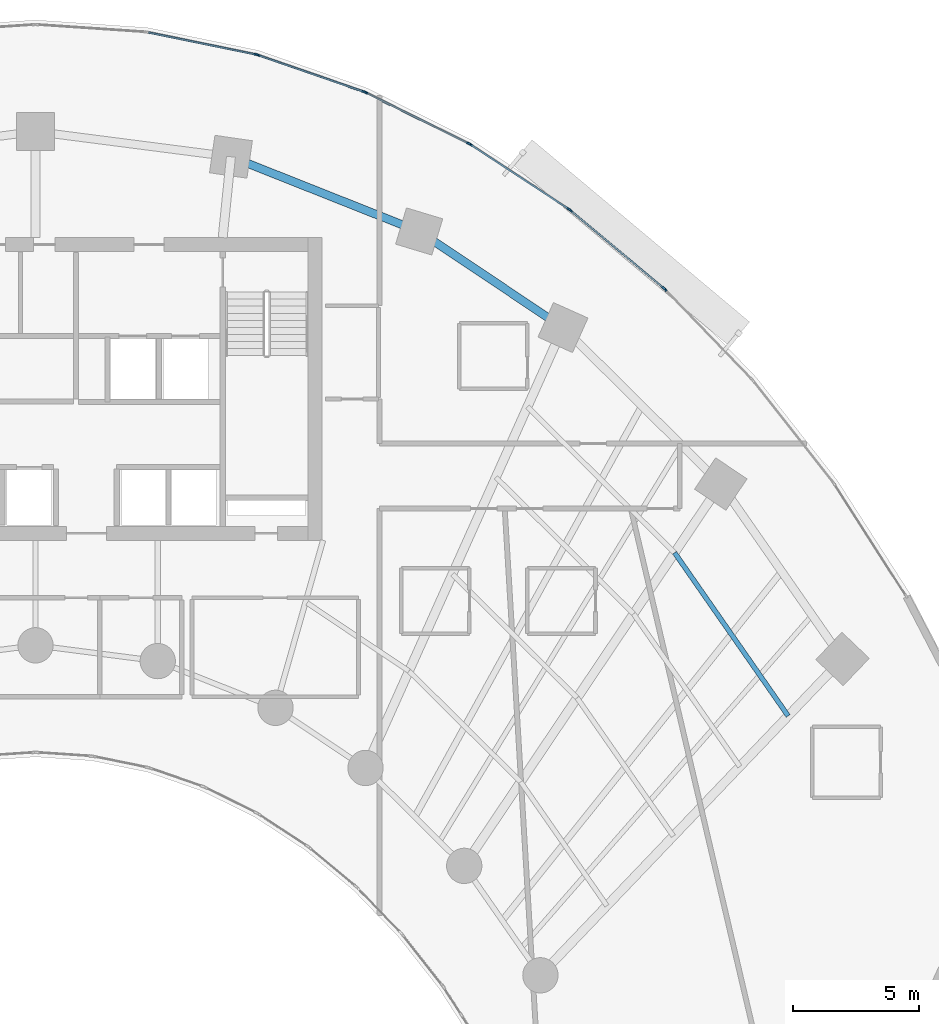
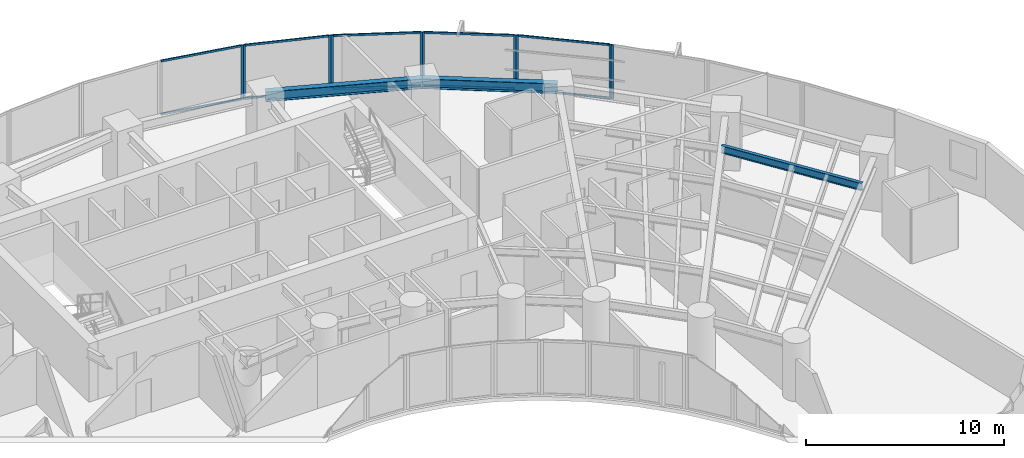
# One storey, part 7 of 17: 20 members, 3 beams, 6 elements without a shape of their own.
"""IFC4 building model written with IfcOpenShell, lengths in metres."""

from ifc_helpers import new_model, si_unit, direction, frame, origin, origin_2d, place, context, subcontext, project, spatial, rectangle, i_section, extrude, source, transform, mapped, material, layer, layer_set, material_profile, profile_set, type_object, element, aggregate, save


model = new_model("IFC4")

# Units and contexts
model_context = context("Model", 3, precision=1e-05, world=origin(), true_north=direction((0.0, 1.0)))
body_context = subcontext(model_context, "Body", "Model", "MODEL_VIEW")
ifc_project = project(units=[si_unit("LENGTHUNIT", "METRE"), si_unit("AREAUNIT", "SQUARE_METRE"), si_unit("VOLUMEUNIT", "CUBIC_METRE"), si_unit("PLANEANGLEUNIT", "RADIAN"), si_unit("MASSUNIT", "GRAM", prefix="KILO")], contexts=[model_context])

# Site, building, storey
site_placement = place(None, origin())
site = spatial("IfcSite", under=ifc_project, at=site_placement, CompositionType="ELEMENT")
building_placement = place(site_placement, origin())
building = spatial("IfcBuilding", under=site, at=building_placement, Name="Breltana Convention Tower", CompositionType="ELEMENT")
storey_placement = place(building_placement, frame((0.0, 0.0, 78.60009765625)))
storey = spatial("IfcBuildingStorey", under=building, at=storey_placement, Name="L18", CompositionType="ELEMENT", Elevation=78.60009765625)

# Beams
ifc_material_1 = material(Name="Steel ASTM A992 Grade 50", Category="steel")
ifc_material_profile_1 = material_profile(ifc_material_1, i_section(OverallWidth=0.323974609375, OverallDepth=0.611083984375, WebThickness=0.0126953125, FlangeThickness=0.01904296875, at=origin_2d()), Name="W24X104")
ifc_profile_set_1 = profile_set([ifc_material_profile_1], Name="Steel ASTM A992 Grade 50")
beam_type_1 = type_object("IfcBeamType", Name="BM-SP-W24X104", PredefinedType="SPANDREL", material=ifc_profile_set_1)
shared_shape_1 = source(origin(), body_context, "Body", "SweptSolid", [
    extrude(i_section(OverallWidth=0.323974609375, OverallDepth=0.611083984375, WebThickness=0.0126953125, FlangeThickness=0.01904296875, at=origin_2d()), origin(), (0.0, 0.0, 1.0), 8.028564453125),
])
beam_1_placement = place(storey_placement, frame((55.746826171875, 75.404296875, 3.054443359375), z_axis=(0.929459100394, -0.368925169507, 0.0), x_axis=(0.368925169507, 0.929459100394, 0.0)))
element("IfcBeam", 1, at=beam_1_placement, inside=storey, type_object=beam_type_1, Name="L18 Outer Spandrel Beam 07", PredefinedType="SPANDREL", context=body_context, shape_type="MappedRepresentation", body=[
    mapped(shared_shape_1, transform((0.0, 0.0, 0.0), scale=1.0)),
])
shared_shape_2 = source(origin(), body_context, "Body", "SweptSolid", [
    extrude(i_section(OverallWidth=0.323974609375, OverallDepth=0.611083984375, WebThickness=0.0126953125, FlangeThickness=0.01904296875, at=origin_2d()), origin(), (0.0, 0.0, 1.0), 6.856689453125),
])
beam_2_placement = place(storey_placement, frame((63.208984375, 72.4423828125, 3.054443359375), z_axis=(0.83150210718, -0.55552159792, 0.0), x_axis=(0.55552159792, 0.83150210718, 0.0)))
element("IfcBeam", 2, at=beam_2_placement, inside=storey, type_object=beam_type_1, Name="L18 Outer Spandrel Beam 08", PredefinedType="SPANDREL", context=body_context, shape_type="MappedRepresentation", body=[
    mapped(shared_shape_2, transform((0.0, 0.0, 0.0), scale=1.0)),
])
ifc_material_profile_2 = material_profile(ifc_material_1, i_section(OverallWidth=0.19091796875, OverallDepth=0.4599609375, WebThickness=0.010009765625, FlangeThickness=0.01611328125, at=origin_2d()), Name="W18X55")
ifc_profile_set_2 = profile_set([ifc_material_profile_2], Name="Steel ASTM A992 Grade 50")
beam_type_2 = type_object("IfcBeamType", Name="BM-JSG-07", PredefinedType="JOIST", material=ifc_profile_set_2)
shared_shape_3 = source(origin(), body_context, "Body", "SweptSolid", [
    extrude(i_section(OverallWidth=0.19091796875, OverallDepth=0.4599609375, WebThickness=0.010009765625, FlangeThickness=0.01611328125, at=origin_2d()), origin(), (0.0, 0.0, 1.0), 7.88037109375),
])
beam_3_placement = place(storey_placement, frame((73.3359375, 59.70556640625, 3.1298828125), z_axis=(0.571197916304, -0.820812366141, 0.0), x_axis=(0.820812366141, 0.571197916304, 0.0)))
element("IfcBeam", 3, at=beam_3_placement, inside=storey, type_object=beam_type_2, Name="L18 Composite Floor Joist 10.4", PredefinedType="JOIST", context=body_context, shape_type="MappedRepresentation", body=[
    mapped(shared_shape_3, transform((0.0, 0.0, 0.0), scale=1.0)),
])

# Curtain wall, members
ifc_material_2 = material(Name="Aluminium Anodised Bronze Frame", Category="aluminium")
ifc_layer = layer(ifc_material_2, 0.199951171875, Name="Aluminium Anodised Bronze Frame")
ifc_layer_set = layer_set([ifc_layer], Name="Aluminium Anodised Bronze Frame")
curtain_wall_type = type_object("IfcCurtainWallType", Name="CW-SYS-2", PredefinedType="NOTDEFINED", material=ifc_layer_set)
curtain_wall_1_placement = place(storey_placement, origin())
curtain_wall_1 = element("IfcCurtainWall", 4, at=curtain_wall_1_placement, inside=storey, type_object=curtain_wall_type, Name="L18 outer double-skin inner glazing 15", PredefinedType="NOTDEFINED")
ifc_material_3 = material(Name="Aluminium Anodised Bronze", Category="aluminium")
ifc_material_profile_3 = material_profile(ifc_material_3, rectangle(XDim=0.070068359375, YDim=0.1201171875, at=origin_2d()), Name="CWT-70X120")
ifc_profile_set_3 = profile_set([ifc_material_profile_3], Name="Aluminium Anodised Bronze")
member_type_1 = type_object("IfcMemberType", Name="CWT-120", PredefinedType="USERDEFINED", material=ifc_profile_set_3)
shared_shape_4 = source(origin(), body_context, "Body", "SweptSolid", [
    extrude(rectangle(XDim=0.070068359375, YDim=0.1201171875, at=origin_2d()), origin(), (0.0, 0.0, 1.0), 4.7509765625),
])
member_1_placement = place(storey_placement, frame((69.2294921875, 73.2607421875, 0.034912109375), z_axis=(0.767951631807, -0.64050783852, 0.0), x_axis=(0.64050783852, 0.767951631807, 0.0)))
member_1 = element("IfcMember", 5, at=member_1_placement, type_object=member_type_1, Name="CW-02 transom 1.1", ObjectType="TRANSOM", PredefinedType="USERDEFINED", context=body_context, shape_type="MappedRepresentation", body=[
    mapped(shared_shape_4, transform((0.0, 0.0, 0.0), scale=1.0)),
])
member_2_placement = place(storey_placement, frame((69.2294921875, 73.2607421875, 3.324951171875), z_axis=(0.767951631807, -0.64050783852, 0.0), x_axis=(0.64050783852, 0.767951631807, 0.0)))
member_2 = element("IfcMember", 6, at=member_2_placement, type_object=member_type_1, Name="CW-02 transom 1.2", ObjectType="TRANSOM", PredefinedType="USERDEFINED", context=body_context, shape_type="MappedRepresentation", body=[
    mapped(shared_shape_4, transform((0.0, 0.0, 0.0), scale=1.0)),
])

curtain_wall_2_placement = place(storey_placement, origin())
curtain_wall_2 = element("IfcCurtainWall", 7, at=curtain_wall_2_placement, inside=storey, type_object=curtain_wall_type, Name="L18 outer double-skin inner glazing 14", PredefinedType="NOTDEFINED")
shared_shape_5 = source(origin(), body_context, "Body", "SweptSolid", [
    extrude(rectangle(XDim=0.070068359375, YDim=0.1201171875, at=origin_2d()), origin(), (0.0, 0.0, 1.0), 4.610595703125),
])
member_3_placement = place(storey_placement, frame((65.262939453125, 75.874267578125, 0.034912109375), z_axis=(0.835956055104, -0.54879638659, 0.0), x_axis=(0.54879638659, 0.835956055104, 0.0)))
member_3 = element("IfcMember", 8, at=member_3_placement, type_object=member_type_1, Name="CW-02 transom 1.1", ObjectType="TRANSOM", PredefinedType="USERDEFINED", context=body_context, shape_type="MappedRepresentation", body=[
    mapped(shared_shape_5, transform((0.0, 0.0, 0.0), scale=1.0)),
])
member_4_placement = place(storey_placement, frame((65.262939453125, 75.874267578125, 3.324951171875), z_axis=(0.835956055104, -0.54879638659, 0.0), x_axis=(0.54879638659, 0.835956055104, 0.0)))
member_4 = element("IfcMember", 9, at=member_4_placement, type_object=member_type_1, Name="CW-02 transom 1.2", ObjectType="TRANSOM", PredefinedType="USERDEFINED", context=body_context, shape_type="MappedRepresentation", body=[
    mapped(shared_shape_5, transform((0.0, 0.0, 0.0), scale=1.0)),
])

curtain_wall_3_placement = place(storey_placement, origin())
curtain_wall_3 = element("IfcCurtainWall", 10, at=curtain_wall_3_placement, inside=storey, type_object=curtain_wall_type, Name="L18 outer double-skin inner glazing 13", PredefinedType="NOTDEFINED")
shared_shape_6 = source(origin(), body_context, "Body", "SweptSolid", [
    extrude(rectangle(XDim=0.070068359375, YDim=0.1201171875, at=origin_2d()), origin(), (0.0, 0.0, 1.0), 4.487548828125),
])
member_5_placement = place(storey_placement, frame((61.120849609375, 77.936767578125, 0.034912109375), z_axis=(0.895977728863, -0.444098986017, 0.0), x_axis=(0.444098986017, 0.895977728863, 0.0)))
member_5 = element("IfcMember", 11, at=member_5_placement, type_object=member_type_1, Name="CW-02 transom 1.1", ObjectType="TRANSOM", PredefinedType="USERDEFINED", context=body_context, shape_type="MappedRepresentation", body=[
    mapped(shared_shape_6, transform((0.0, 0.0, 0.0), scale=1.0)),
])
member_6_placement = place(storey_placement, frame((61.120849609375, 77.936767578125, 3.324951171875), z_axis=(0.895977728863, -0.444098986017, 0.0), x_axis=(0.444098986017, 0.895977728863, 0.0)))
member_6 = element("IfcMember", 12, at=member_6_placement, type_object=member_type_1, Name="CW-02 transom 1.2", ObjectType="TRANSOM", PredefinedType="USERDEFINED", context=body_context, shape_type="MappedRepresentation", body=[
    mapped(shared_shape_6, transform((0.0, 0.0, 0.0), scale=1.0)),
])

curtain_wall_4_placement = place(storey_placement, origin())
curtain_wall_4 = element("IfcCurtainWall", 13, at=curtain_wall_4_placement, inside=storey, type_object=curtain_wall_type, Name="L18 outer double-skin inner glazing 12", PredefinedType="NOTDEFINED")
shared_shape_7 = source(origin(), body_context, "Body", "SweptSolid", [
    extrude(rectangle(XDim=0.070068359375, YDim=0.1201171875, at=origin_2d()), origin(), (0.0, 0.0, 1.0), 4.38818359375),
])
member_7_placement = place(storey_placement, frame((56.845703125, 79.427490234375, 0.034912109375), z_axis=(0.944878203019, -0.32742202348, 0.0), x_axis=(0.32742202348, 0.944878203019, 0.0)))
member_7 = element("IfcMember", 14, at=member_7_placement, type_object=member_type_1, Name="CW-02 transom 1.1", ObjectType="TRANSOM", PredefinedType="USERDEFINED", context=body_context, shape_type="MappedRepresentation", body=[
    mapped(shared_shape_7, transform((0.0, 0.0, 0.0), scale=1.0)),
])
member_8_placement = place(storey_placement, frame((56.845703125, 79.427490234375, 3.324951171875), z_axis=(0.944878203019, -0.32742202348, 0.0), x_axis=(0.32742202348, 0.944878203019, 0.0)))
member_8 = element("IfcMember", 15, at=member_8_placement, type_object=member_type_1, Name="CW-02 transom 1.2", ObjectType="TRANSOM", PredefinedType="USERDEFINED", context=body_context, shape_type="MappedRepresentation", body=[
    mapped(shared_shape_7, transform((0.0, 0.0, 0.0), scale=1.0)),
])

curtain_wall_5_placement = place(storey_placement, origin())
curtain_wall_5 = element("IfcCurtainWall", 16, at=curtain_wall_5_placement, inside=storey, type_object=curtain_wall_type, Name="L18 outer double-skin inner glazing 11", PredefinedType="NOTDEFINED")
shared_shape_8 = source(origin(), body_context, "Body", "SweptSolid", [
    extrude(rectangle(XDim=0.070068359375, YDim=0.1201171875, at=origin_2d()), origin(), (0.0, 0.0, 1.0), 4.318359375),
])
member_9_placement = place(storey_placement, frame((52.480712890625, 80.33203125, 0.034912109375), z_axis=(0.979616680923, -0.200875977799, 0.0), x_axis=(0.200875977799, 0.979616680923, 0.0)))
member_9 = element("IfcMember", 17, at=member_9_placement, type_object=member_type_1, Name="CW-02 transom 1.1", ObjectType="TRANSOM", PredefinedType="USERDEFINED", context=body_context, shape_type="MappedRepresentation", body=[
    mapped(shared_shape_8, transform((0.0, 0.0, 0.0), scale=1.0)),
])
member_10_placement = place(storey_placement, frame((52.480712890625, 80.33203125, 3.324951171875), z_axis=(0.979616680923, -0.200875977799, 0.0), x_axis=(0.200875977799, 0.979616680923, 0.0)))
member_10 = element("IfcMember", 18, at=member_10_placement, type_object=member_type_1, Name="CW-02 transom 1.2", ObjectType="TRANSOM", PredefinedType="USERDEFINED", context=body_context, shape_type="MappedRepresentation", body=[
    mapped(shared_shape_8, transform((0.0, 0.0, 0.0), scale=1.0)),
])
ifc_material_profile_4 = material_profile(ifc_material_3, rectangle(XDim=0.070068359375, YDim=0.175048828125, at=origin_2d()), Name="CWM-70X175")
ifc_profile_set_4 = profile_set([ifc_material_profile_4], Name="Aluminium Anodised Bronze")
member_type_2 = type_object("IfcMemberType", Name="CWM-175", PredefinedType="MULLION", material=ifc_profile_set_4)
shared_shape_9 = source(origin(), body_context, "Body", "SweptSolid", [
    extrude(rectangle(XDim=0.070068359375, YDim=0.175048828125, at=origin_2d()), origin(), (0.0, 0.0, 1.0), 3.35986328125),
])
member_11_placement = place(storey_placement, frame((56.7451171875, 79.45751953125, 0.0), z_axis=(0.0, 0.0, 1.0), x_axis=(0.200884537139, 0.979614925743, 0.0)))
member_11 = element("IfcMember", 19, at=member_11_placement, type_object=member_type_2, Name="CW-02 mullion 2", PredefinedType="MULLION", context=body_context, shape_type="MappedRepresentation", body=[
    mapped(shared_shape_9, transform((0.0, 0.0, 0.0), scale=1.0)),
])
aggregate(curtain_wall_5, [member_11, member_9, member_10])

# Member
member_12_placement = place(storey_placement, frame((56.8125, 79.43896484375, 0.0), z_axis=(0.0, 0.0, 1.0), x_axis=(0.32742834581, 0.944876012163, 0.0)))
member_12 = element("IfcMember", 20, at=member_12_placement, type_object=member_type_2, Name="CW-02 mullion 1", PredefinedType="MULLION", context=body_context, shape_type="MappedRepresentation", body=[
    mapped(shared_shape_9, transform((0.0, 0.0, 0.0), scale=1.0)),
])

member_13_placement = place(storey_placement, frame((61.025146484375, 77.979248046875, 0.0), z_axis=(0.0, 0.0, 1.0), x_axis=(0.32742834581, 0.944876012163, 0.0)))
member_13 = element("IfcMember", 21, at=member_13_placement, type_object=member_type_2, Name="CW-02 mullion 2", PredefinedType="MULLION", context=body_context, shape_type="MappedRepresentation", body=[
    mapped(shared_shape_9, transform((0.0, 0.0, 0.0), scale=1.0)),
])

aggregate(curtain_wall_4, [member_12, member_13, member_7, member_8])

member_14_placement = place(storey_placement, frame((61.089599609375, 77.9521484375, 0.0), z_axis=(0.0, 0.0, 1.0), x_axis=(0.444107703726, 0.895973407804, 0.0)))
member_14 = element("IfcMember", 22, at=member_14_placement, type_object=member_type_2, Name="CW-02 mullion 1", PredefinedType="MULLION", context=body_context, shape_type="MappedRepresentation", body=[
    mapped(shared_shape_9, transform((0.0, 0.0, 0.0), scale=1.0)),
])

member_15_placement = place(storey_placement, frame((65.1728515625, 75.92822265625, 0.0), z_axis=(0.0, 0.0, 1.0), x_axis=(0.444107703726, 0.895973407804, 0.0)))
member_15 = element("IfcMember", 23, at=member_15_placement, type_object=member_type_2, Name="CW-02 mullion 2", PredefinedType="MULLION", context=body_context, shape_type="MappedRepresentation", body=[
    mapped(shared_shape_9, transform((0.0, 0.0, 0.0), scale=1.0)),
])

aggregate(curtain_wall_3, [member_14, member_15, member_5, member_6])

member_16_placement = place(storey_placement, frame((65.233642578125, 75.8935546875, 0.0), z_axis=(0.0, 0.0, 1.0), x_axis=(0.548784255746, 0.83596401875, 0.0)))
member_16 = element("IfcMember", 24, at=member_16_placement, type_object=member_type_2, Name="CW-02 mullion 1", PredefinedType="MULLION", context=body_context, shape_type="MappedRepresentation", body=[
    mapped(shared_shape_9, transform((0.0, 0.0, 0.0), scale=1.0)),
])

member_17_placement = place(storey_placement, frame((69.146484375, 73.32470703125, 0.0), z_axis=(0.0, 0.0, 1.0), x_axis=(0.548784255746, 0.83596401875, 0.0)))
member_17 = element("IfcMember", 25, at=member_17_placement, type_object=member_type_2, Name="CW-02 mullion 2", PredefinedType="MULLION", context=body_context, shape_type="MappedRepresentation", body=[
    mapped(shared_shape_9, transform((0.0, 0.0, 0.0), scale=1.0)),
])

aggregate(curtain_wall_2, [member_16, member_17, member_3, member_4])

member_18_placement = place(storey_placement, frame((69.20263671875, 73.283203125, 0.0), z_axis=(0.0, 0.0, 1.0), x_axis=(0.640520193554, 0.767941326958, 0.0)))
member_18 = element("IfcMember", 26, at=member_18_placement, type_object=member_type_2, Name="CW-02 mullion 1", PredefinedType="MULLION", context=body_context, shape_type="MappedRepresentation", body=[
    mapped(shared_shape_9, transform((0.0, 0.0, 0.0), scale=1.0)),
])

member_19_placement = place(storey_placement, frame((72.90478515625, 70.1953125, 0.0), z_axis=(0.0, 0.0, 1.0), x_axis=(0.640520193554, 0.767941326958, 0.0)))
member_19 = element("IfcMember", 27, at=member_19_placement, type_object=member_type_2, Name="CW-02 mullion 2", PredefinedType="MULLION", context=body_context, shape_type="MappedRepresentation", body=[
    mapped(shared_shape_9, transform((0.0, 0.0, 0.0), scale=1.0)),
])

aggregate(curtain_wall_1, [member_18, member_19, member_1, member_2])

# Curtain wall, member
curtain_wall_6_placement = place(storey_placement, origin())
curtain_wall_6 = element("IfcCurtainWall", 28, at=curtain_wall_6_placement, inside=storey, type_object=curtain_wall_type, Name="L18 outer double-skin inner glazing 16", PredefinedType="NOTDEFINED")
member_20_placement = place(storey_placement, frame((72.955810546875, 70.147705078125, 0.0), z_axis=(0.0, 0.0, 1.0), x_axis=(0.719386421003, 0.694610090106, 0.0)))
member_20 = element("IfcMember", 29, at=member_20_placement, type_object=member_type_2, Name="CW-02 mullion 1", PredefinedType="MULLION", context=body_context, shape_type="MappedRepresentation", body=[
    mapped(shared_shape_9, transform((0.0, 0.0, 0.0), scale=1.0)),
])
aggregate(curtain_wall_6, [member_20])

save(model, "model.ifc")
